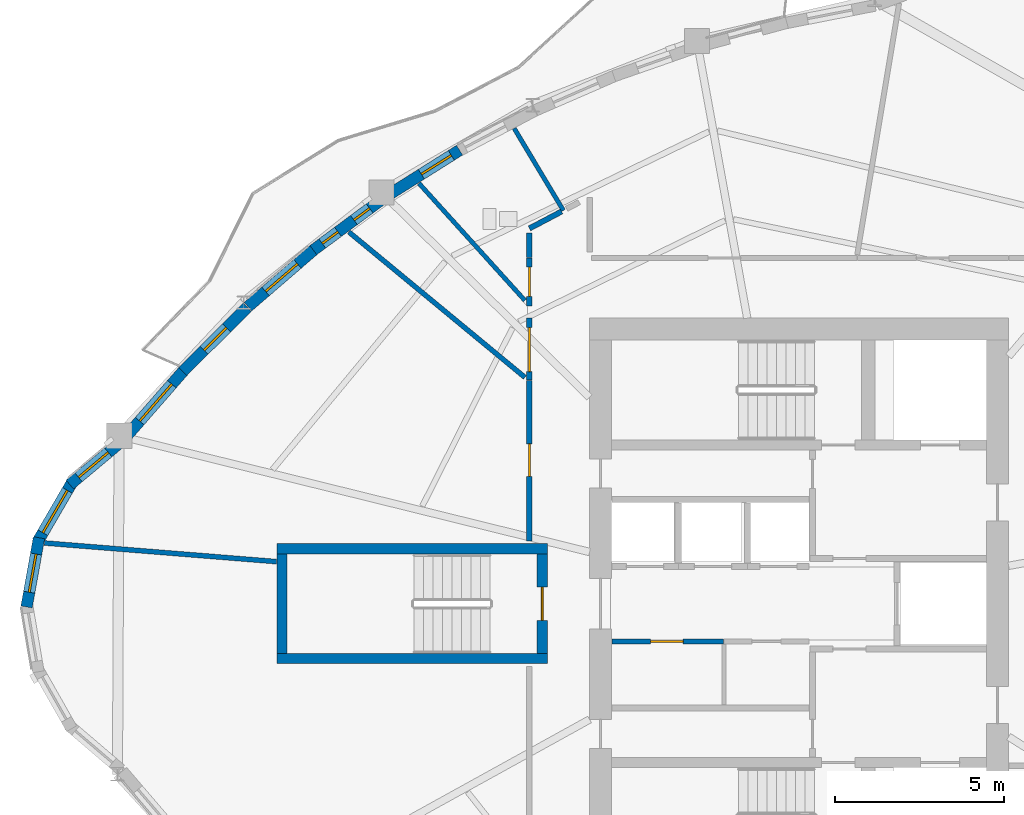
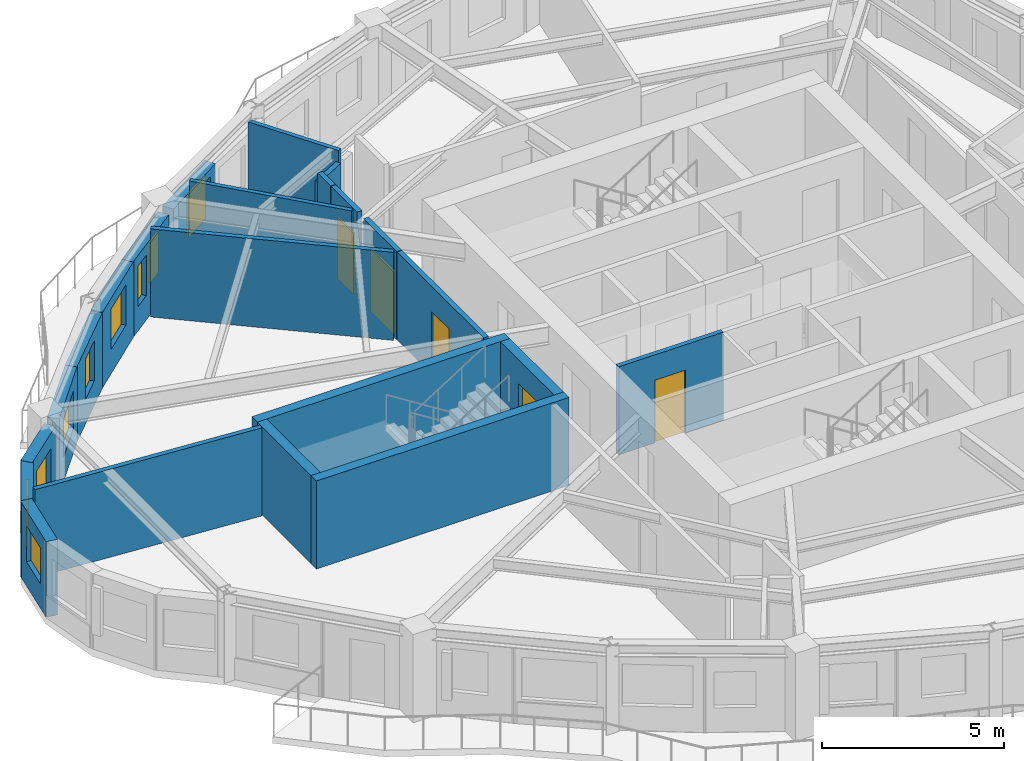
# One storey, part 4 of 11: 22 walls, 9 windows, 5 doors, 14 openings.
"""IFC4 building model written with IfcOpenShell, lengths in metres."""

from ifc_helpers import new_model, si_unit, direction, frame, frame_2d, origin, place, context, subcontext, project, spatial, rectangle, extrude, source, transform, mapped, material, layer, layer_set, type_object, element, fill, save


model = new_model("IFC4")

# Units and contexts
model_context = context("Model", 3, precision=1e-05, world=origin(), true_north=direction((0.0, 1.0)))
body_context = subcontext(model_context, "Body", "Model", "MODEL_VIEW")
ifc_project = project(units=[si_unit("LENGTHUNIT", "METRE"), si_unit("AREAUNIT", "SQUARE_METRE"), si_unit("VOLUMEUNIT", "CUBIC_METRE"), si_unit("PLANEANGLEUNIT", "RADIAN"), si_unit("MASSUNIT", "GRAM", prefix="KILO")], contexts=[model_context])

# Site, building, storey
site_placement = place(None, origin())
site = spatial("IfcSite", under=ifc_project, at=site_placement, CompositionType="ELEMENT")
building_placement = place(site_placement, origin())
building = spatial("IfcBuilding", under=site, at=building_placement, Name="Qafzar Sky-Pleat Residences", CompositionType="ELEMENT")
storey_placement = place(building_placement, frame((0.0, 0.0, 165.0)))
storey = spatial("IfcBuildingStorey", under=building, at=storey_placement, Name="L49", CompositionType="ELEMENT", Elevation=165.0)

# Wall, opening, door
ifc_material_1 = material(Name="Acoustic gypsum plasterboard partition", Category="gypsum")
ifc_layer_1 = layer(ifc_material_1, 0.159912109375)
ifc_layer_set_1 = layer_set([ifc_layer_1], Name="Acoustic gypsum plasterboard partition")
wall_type_1 = type_object("IfcWallType", Name="PART-COR-160", PredefinedType="PARTITIONING", material=ifc_layer_set_1)
wall_1_placement = place(storey_placement, frame((22.3701171875, 27.85009765625, 0.0), z_axis=(0.0, 0.0, 1.0), x_axis=(0.0, 1.0, 0.0)))
wall_1 = element("IfcWall", 1, at=wall_1_placement, inside=storey, type_object=wall_type_1, Name="L49 Partition Wall PART-L49-PW-004", PredefinedType="PARTITIONING", context=body_context, shape_type="SweptSolid", body=[
    extrude(rectangle(XDim=4.7587890625, YDim=0.159912109375, at=frame_2d((2.37939453125, 0.0))), origin(), (0.0, 0.0, 1.0), 2.949951171875),
])
opening_1_placement = place(wall_1_placement, frame((1.9189453125, 0.0, 0.0)))
opening_1 = element("IfcOpeningElement", 2, at=opening_1_placement, cuts=wall_1, Name="Opening ID-06", PredefinedType="OPENING", context=body_context, shape_type="SweptSolid", body=[
    extrude(rectangle(XDim=0.9599609375, YDim=2.10009765625, at=frame_2d((0.47998046875, 1.050048828125))), frame((0.0, 0.08984375, 0.0), z_axis=(0.0, -1.0, 0.0), x_axis=(1.0, 0.0, 0.0)), (0.0, 0.0, 1.0), 0.179931640625),
])
ifc_material_2 = material(Name="Timber-faced fire door", Category="wood")
door_type_1 = type_object("IfcDoorType", Name="DR-STD-960", OperationType="NOTDEFINED", PredefinedType="DOOR", material=ifc_material_2)
shared_shape_1 = source(origin(), body_context, "Body", "SweptSolid", [
    extrude(rectangle(XDim=0.9599609375, YDim=2.10009765625, at=frame_2d((0.47998046875, 1.050048828125))), frame((0.0, 0.02490234375, 0.0), z_axis=(0.0, -1.0, 0.0), x_axis=(1.0, 0.0, 0.0)), (0.0, 0.0, 1.0), 0.050048828125),
])
door_1_placement = place(opening_1_placement, origin())
door_1 = element("IfcDoor", 3, at=door_1_placement, inside=storey, type_object=door_type_1, Name="L49 Graduate Desk Workspace Door", OperationType="SINGLE_SWING_LEFT", OverallHeight=2.10009765625, OverallWidth=0.9599609375, PredefinedType="DOOR", context=body_context, shape_type="MappedRepresentation", body=[
    mapped(shared_shape_1, transform((0.0, 0.0, 0.0), x_axis=(1.0, 0.0, 0.0), y_axis=(0.0, 1.0, 0.0), z_axis=(0.0, 0.0, 1.0), scale=1.0)),
])
fill(opening_1, door_1)

wall_2_placement = place(storey_placement, frame((22.3701171875, 32.6240234375, 0.0), z_axis=(0.0, 0.0, 1.0), x_axis=(0.0, 1.0, 0.0)))
wall_2 = element("IfcWall", 4, at=wall_2_placement, inside=storey, type_object=wall_type_1, Name="L49 Partition Wall PART-L49-PW-009", PredefinedType="PARTITIONING", context=body_context, shape_type="SweptSolid", body=[
    extrude(rectangle(XDim=1.825927734375, YDim=0.159912109375, at=frame_2d((0.9130859375, 0.0))), origin(), (0.0, 0.0, 1.0), 2.949951171875),
])
opening_2_placement = place(wall_2_placement, frame((0.24560546875, 0.0, 0.0)))
opening_2 = element("IfcOpeningElement", 5, at=opening_2_placement, cuts=wall_2, Name="Opening ID-05", PredefinedType="OPENING", context=body_context, shape_type="SweptSolid", body=[
    extrude(rectangle(XDim=1.300048828125, YDim=2.10009765625, at=frame_2d((0.64990234375, 1.050048828125))), frame((0.0, 0.08984375, 0.0), z_axis=(0.0, -1.0, 0.0), x_axis=(1.0, 0.0, 0.0)), (0.0, 0.0, 1.0), 0.179931640625),
])
door_type_2 = type_object("IfcDoorType", Name="DR-LNG-1300", OperationType="DOUBLE_DOOR_SINGLE_SWING", PredefinedType="DOOR", material=ifc_material_2)
shared_shape_2 = source(origin(), body_context, "Body", "SweptSolid", [
    extrude(rectangle(XDim=1.300048828125, YDim=2.10009765625, at=frame_2d((0.64990234375, 1.050048828125))), frame((0.0, 0.02490234375, 0.0), z_axis=(0.0, -1.0, 0.0), x_axis=(1.0, 0.0, 0.0)), (0.0, 0.0, 1.0), 0.050048828125),
])
door_2_placement = place(opening_2_placement, origin())
door_2 = element("IfcDoor", 6, at=door_2_placement, inside=storey, type_object=door_type_2, Name="L49 Scholar Study Room Door", OperationType="DOUBLE_DOOR_SINGLE_SWING", OverallHeight=2.10009765625, OverallWidth=1.300048828125, PredefinedType="DOOR", context=body_context, shape_type="MappedRepresentation", body=[
    mapped(shared_shape_2, transform((0.0, 0.0, 0.0), x_axis=(1.0, 0.0, 0.0), y_axis=(0.0, 1.0, 0.0), z_axis=(0.0, 0.0, 1.0), scale=1.0)),
])
fill(opening_2, door_2)

wall_3_placement = place(storey_placement, frame((22.3701171875, 34.802978515625, 0.0), z_axis=(0.0, 0.0, 1.0), x_axis=(0.0, 1.0, 0.0)))
wall_3 = element("IfcWall", 7, at=wall_3_placement, inside=storey, type_object=wall_type_1, Name="L49 Partition Wall PART-L49-PW-010", PredefinedType="PARTITIONING", context=body_context, shape_type="SweptSolid", body=[
    extrude(rectangle(XDim=1.427001953125, YDim=0.159912109375, at=frame_2d((0.71337890625, 0.0))), origin(), (0.0, 0.0, 1.0), 2.949951171875),
])
opening_3_placement = place(wall_3_placement, frame((0.294921875, 0.0, 0.0)))
opening_3 = element("IfcOpeningElement", 8, at=opening_3_placement, cuts=wall_3, Name="Opening ID-09", PredefinedType="OPENING", context=body_context, shape_type="SweptSolid", body=[
    extrude(rectangle(XDim=0.860107421875, YDim=2.050048828125, at=frame_2d((0.43017578125, 1.02490234375))), frame((0.0, 0.08984375, 0.0), z_axis=(0.0, -1.0, 0.0), x_axis=(1.0, 0.0, 0.0)), (0.0, 0.0, 1.0), 0.179931640625),
])
door_type_3 = type_object("IfcDoorType", Name="DR-SVC-860", OperationType="NOTDEFINED", PredefinedType="DOOR", material=ifc_material_2)
shared_shape_3 = source(origin(), body_context, "Body", "SweptSolid", [
    extrude(rectangle(XDim=0.860107421875, YDim=2.050048828125, at=frame_2d((0.43017578125, 1.02490234375))), frame((0.0, 0.02490234375, 0.0), z_axis=(0.0, -1.0, 0.0), x_axis=(1.0, 0.0, 0.0)), (0.0, 0.0, 1.0), 0.050048828125),
])
door_3_placement = place(opening_3_placement, origin())
door_3 = element("IfcDoor", 9, at=door_3_placement, inside=storey, type_object=door_type_3, Name="L49 Accessible Shared Washroom Door", OperationType="SINGLE_SWING_LEFT", OverallHeight=2.050048828125, OverallWidth=0.860107421875, PredefinedType="DOOR", context=body_context, shape_type="MappedRepresentation", body=[
    mapped(shared_shape_3, transform((0.0, 0.0, 0.0), x_axis=(1.0, 0.0, 0.0), y_axis=(0.0, 1.0, 0.0), z_axis=(0.0, 0.0, 1.0), scale=1.0)),
])
fill(opening_3, door_3)

# Walls
wall_4_placement = place(storey_placement, frame((22.3701171875, 37.10498046875, 0.0), z_axis=(0.0, 0.0, 1.0), x_axis=(0.884455008011, 0.466625480234, 0.0)))
element("IfcWall", 10, at=wall_4_placement, inside=storey, type_object=wall_type_1, Name="L49 Partition Wall PART-L49-PW-025", PredefinedType="PARTITIONING", context=body_context, shape_type="SweptSolid", body=[
    extrude(rectangle(XDim=1.07568359375, YDim=0.159912109375, at=frame_2d((0.537841796875, 0.0))), origin(), (0.0, 0.0, 1.0), 2.55810546875),
])
wall_5_placement = place(storey_placement, frame((22.3701171875, 36.2451171875, 0.0), z_axis=(0.0, 0.0, 1.0), x_axis=(0.0, 1.0, 0.0)))
element("IfcWall", 11, at=wall_5_placement, inside=storey, type_object=wall_type_1, Name="L49 Partition Wall PART-L49-PW-027", PredefinedType="PARTITIONING", context=body_context, shape_type="SweptSolid", body=[
    extrude(rectangle(XDim=0.71923828125, YDim=0.159912109375, at=frame_2d((0.359619140625, 0.0))), origin(), (0.0, 0.0, 1.0), 2.949951171875),
])

# Wall, opening, door
ifc_layer_2 = layer(ifc_material_1, 0.14501953125)
ifc_layer_set_2 = layer_set([ifc_layer_2], Name="Acoustic gypsum plasterboard partition")
wall_type_2 = type_object("IfcWallType", Name="PART-UNIT-145", PredefinedType="PARTITIONING", material=ifc_layer_set_2)
wall_6_placement = place(storey_placement, frame((24.81005859375, 24.8798828125, 0.0), z_axis=(0.0, 0.0, 1.0), x_axis=(1.0, 0.0, 0.0)))
wall_6 = element("IfcWall", 12, at=wall_6_placement, inside=storey, type_object=wall_type_2, Name="L49 Partition Wall PART-L49-RECLAIM-N1", PredefinedType="PARTITIONING", context=body_context, shape_type="SweptSolid", body=[
    extrude(rectangle(XDim=3.31005859375, YDim=0.14501953125, at=frame_2d((1.655029296875, 0.0))), origin(), (0.0, 0.0, 1.0), 2.949951171875),
])
opening_4_placement = place(wall_6_placement, frame((1.14990234375, 0.0, 0.0)))
opening_4 = element("IfcOpeningElement", 13, at=opening_4_placement, cuts=wall_6, Name="Opening ID-06", PredefinedType="OPENING", context=body_context, shape_type="SweptSolid", body=[
    extrude(rectangle(XDim=0.9599609375, YDim=2.10009765625, at=frame_2d((0.47998046875, 1.050048828125))), frame((0.0, 0.08251953125, 0.0), z_axis=(0.0, -1.0, 0.0), x_axis=(1.0, 0.0, 0.0)), (0.0, 0.0, 1.0), 0.1650390625),
])
door_4_placement = place(opening_4_placement, origin())
door_4 = element("IfcDoor", 14, at=door_4_placement, inside=storey, type_object=door_type_1, Name="L49 Reclaimed Quiet Study Room Door", OperationType="SINGLE_SWING_RIGHT", OverallHeight=2.10009765625, OverallWidth=0.9599609375, PredefinedType="DOOR", context=body_context, shape_type="MappedRepresentation", body=[
    mapped(shared_shape_1, transform((0.0, 0.0, 0.0), x_axis=(1.0, 0.0, 0.0), y_axis=(0.0, 1.0, 0.0), z_axis=(0.0, 0.0, 1.0), scale=1.0)),
])
fill(opening_4, door_4)

# Walls
wall_7_placement = place(storey_placement, frame((17.028076171875, 36.999755859375, 0.0), z_axis=(0.0, 0.0, 1.0), x_axis=(0.771119105053, -0.636690918596, 0.0)))
element("IfcWall", 15, at=wall_7_placement, inside=storey, type_object=wall_type_2, Name="L49 Partition Wall PART-L49-PW-013", PredefinedType="PARTITIONING", context=body_context, shape_type="SweptSolid", body=[
    extrude(rectangle(XDim=6.756103515625, YDim=0.14501953125, at=frame_2d((3.3779296875, 0.0))), origin(), (0.0, 0.0, 1.0), 2.949951171875),
])
wall_8_placement = place(storey_placement, frame((8.015380859375, 27.79736328125, 0.0), z_axis=(0.0, 0.0, 1.0), x_axis=(0.996785477909, -0.080116858581, 0.0)))
element("IfcWall", 16, at=wall_8_placement, inside=storey, type_object=wall_type_2, Name="L49 Partition Wall PART-L49-PW-014", PredefinedType="PARTITIONING", context=body_context, shape_type="SweptSolid", body=[
    extrude(rectangle(XDim=6.89306640625, YDim=0.14501953125, at=frame_2d((3.446533203125, 0.0))), origin(), (0.0, 0.0, 1.0), 2.949951171875),
])
ifc_material_3 = material(Name="Moisture-resistant gypsum partition", Category="gypsum")
ifc_layer_3 = layer(ifc_material_3, 0.1298828125)
ifc_layer_set_3 = layer_set([ifc_layer_3], Name="Moisture-resistant gypsum partition")
wall_type_3 = type_object("IfcWallType", Name="PART-WET-130", PredefinedType="PARTITIONING", material=ifc_layer_set_3)
wall_9_placement = place(storey_placement, frame((19.100830078125, 38.441162109375, 0.0), z_axis=(0.0, 0.0, 1.0), x_axis=(0.670702711046, -0.741726279295, 0.0)))
element("IfcWall", 17, at=wall_9_placement, inside=storey, type_object=wall_type_3, Name="L49 Partition Wall PART-L49-PW-017", PredefinedType="PARTITIONING", context=body_context, shape_type="SweptSolid", body=[
    extrude(rectangle(XDim=4.675048828125, YDim=0.1298828125, at=frame_2d((2.33740234375, 0.0))), origin(), (0.0, 0.0, 1.0), 2.949951171875),
])
wall_10_placement = place(storey_placement, frame((21.920166015625, 40.065185546875, 0.0), z_axis=(0.0, 0.0, 1.0), x_axis=(0.514051974364, -0.857759038223, 0.0)))
element("IfcWall", 18, at=wall_10_placement, inside=storey, type_object=wall_type_3, Name="L49 Partition Wall PART-L49-PW-019", PredefinedType="PARTITIONING", context=body_context, shape_type="SweptSolid", body=[
    extrude(rectangle(XDim=2.83203125, YDim=0.1298828125, at=frame_2d((1.416015625, 0.0))), origin(), (0.0, 0.0, 1.0), 2.949951171875),
])

# Wall, opening, window
ifc_material_4 = material(Name="Precast concrete C40/50 with honed Riyadh limestone", Category="concrete")
ifc_layer_4 = layer(ifc_material_4, 0.340087890625)
ifc_layer_set_4 = layer_set([ifc_layer_4], Name="Precast concrete C40/50 with honed Riyadh limestone")
wall_type_4 = type_object("IfcWallType", Name="WALL-EXT-340", PredefinedType="SOLIDWALL", material=ifc_layer_set_4)
wall_11_placement = place(storey_placement, frame((10.218994140625, 30.7373046875, 0.0), z_axis=(0.0, 0.0, 1.0), x_axis=(-0.76661852922, -0.642102819381, 0.0)))
wall_11 = element("IfcWall", 19, at=wall_11_placement, inside=storey, type_object=wall_type_4, Name="L49 Limestone Facade Wall 1", PredefinedType="SOLIDWALL", context=body_context, shape_type="SweptSolid", body=[
    extrude(rectangle(XDim=1.88818359375, YDim=0.340087890625, at=frame_2d((0.944091796875, 0.0))), origin(), (0.0, 0.0, 1.0), 2.530029296875),
])
opening_5_placement = place(wall_11_placement, frame((0.404052734375, 0.0, 0.820068359375)))
opening_5 = element("IfcOpeningElement", 20, at=opening_5_placement, cuts=wall_11, Name="Opening WN-16", PredefinedType="OPENING", context=body_context, shape_type="SweptSolid", body=[
    extrude(rectangle(XDim=1.14990234375, YDim=1.199951171875, at=frame_2d((0.574951171875, 0.60009765625))), frame((0.0, 0.18017578125, 0.0), z_axis=(0.0, -1.0, 0.0), x_axis=(1.0, 0.0, 0.0)), (0.0, 0.0, 1.0), 0.360107421875),
])
ifc_material_5 = material(Name="Solar-control low-E glass in bronze aluminium frame", Category="glass")
window_type_1 = type_object("IfcWindowType", Name="WIN-16", PartitioningType="SINGLE_PANEL", PredefinedType="WINDOW", material=ifc_material_5)
shared_shape_4 = source(origin(), body_context, "Body", "SweptSolid", [
    extrude(rectangle(XDim=1.14990234375, YDim=1.199951171875, at=frame_2d((0.574951171875, 0.60009765625))), frame((0.0, 0.030029296875, 0.0), z_axis=(0.0, -1.0, 0.0), x_axis=(1.0, 0.0, 0.0)), (0.0, 0.0, 1.0), 0.06005859375),
])
window_1_placement = place(opening_5_placement, origin())
window_1 = element("IfcWindow", 21, at=window_1_placement, inside=storey, type_object=window_type_1, Name="L49 Punched Facade Window 01", OverallHeight=1.199951171875, OverallWidth=1.14990234375, PartitioningType="SINGLE_PANEL", PredefinedType="WINDOW", context=body_context, shape_type="MappedRepresentation", body=[
    mapped(shared_shape_4, transform((0.0, 0.0, 0.0), x_axis=(1.0, 0.0, 0.0), y_axis=(0.0, 1.0, 0.0), z_axis=(0.0, 0.0, 1.0), scale=1.0)),
])
fill(opening_5, window_1)

wall_12_placement = place(storey_placement, frame((8.857666015625, 29.627197265625, 0.0), z_axis=(0.0, 0.0, 1.0), x_axis=(-0.502177965272, -0.864764298058, 0.0)))
wall_12 = element("IfcWall", 22, at=wall_12_placement, inside=storey, type_object=wall_type_4, Name="L49 Limestone Facade Wall 2", PredefinedType="SOLIDWALL", context=body_context, shape_type="SweptSolid", body=[
    extrude(rectangle(XDim=2.081298828125, YDim=0.340087890625, at=frame_2d((1.04052734375, 0.0))), origin(), (0.0, 0.0, 1.0), 2.530029296875),
])
opening_6_placement = place(wall_12_placement, frame((0.3154296875, 0.0, 0.820068359375)))
opening_6 = element("IfcOpeningElement", 23, at=opening_6_placement, cuts=wall_12, Name="Opening WN-15", PredefinedType="OPENING", context=body_context, shape_type="SweptSolid", body=[
    extrude(rectangle(XDim=1.449951171875, YDim=1.25, at=frame_2d((0.72509765625, 0.625))), frame((0.0, 0.18017578125, 0.0), z_axis=(0.0, -1.0, 0.0), x_axis=(1.0, 0.0, 0.0)), (0.0, 0.0, 1.0), 0.360107421875),
])
window_type_2 = type_object("IfcWindowType", Name="WIN-15", PartitioningType="SINGLE_PANEL", PredefinedType="WINDOW", material=ifc_material_5)
shared_shape_5 = source(origin(), body_context, "Body", "SweptSolid", [
    extrude(rectangle(XDim=1.449951171875, YDim=1.25, at=frame_2d((0.72509765625, 0.625))), frame((0.0, 0.030029296875, 0.0), z_axis=(0.0, -1.0, 0.0), x_axis=(1.0, 0.0, 0.0)), (0.0, 0.0, 1.0), 0.06005859375),
])
window_2_placement = place(opening_6_placement, origin())
window_2 = element("IfcWindow", 24, at=window_2_placement, inside=storey, type_object=window_type_2, Name="L49 Punched Facade Window 02", OverallHeight=1.25, OverallWidth=1.449951171875, PartitioningType="SINGLE_PANEL", PredefinedType="WINDOW", context=body_context, shape_type="MappedRepresentation", body=[
    mapped(shared_shape_5, transform((0.0, 0.0, 0.0), x_axis=(1.0, 0.0, 0.0), y_axis=(0.0, 1.0, 0.0), z_axis=(0.0, 0.0, 1.0), scale=1.0)),
])
fill(opening_6, window_2)

wall_13_placement = place(storey_placement, frame((7.858642578125, 27.952880859375, 0.0), z_axis=(0.0, 0.0, 1.0), x_axis=(-0.177605215389, -0.984101817632, 0.0)))
wall_13 = element("IfcWall", 25, at=wall_13_placement, inside=storey, type_object=wall_type_4, Name="L49 Limestone Facade Wall 3", PredefinedType="SOLIDWALL", context=body_context, shape_type="SweptSolid", body=[
    extrude(rectangle(XDim=2.081298828125, YDim=0.340087890625, at=frame_2d((1.04052734375, 0.0))), origin(), (0.0, 0.0, 1.0), 2.530029296875),
])
opening_7_placement = place(wall_13_placement, frame((0.4892578125, 0.0, 0.820068359375)))
opening_7 = element("IfcOpeningElement", 26, at=opening_7_placement, cuts=wall_13, Name="Opening WN-16", PredefinedType="OPENING", context=body_context, shape_type="SweptSolid", body=[
    extrude(rectangle(XDim=1.14990234375, YDim=1.199951171875, at=frame_2d((0.574951171875, 0.60009765625))), frame((0.0, 0.18017578125, 0.0), z_axis=(0.0, -1.0, 0.0), x_axis=(1.0, 0.0, 0.0)), (0.0, 0.0, 1.0), 0.360107421875),
])
window_3_placement = place(opening_7_placement, origin())
window_3 = element("IfcWindow", 27, at=window_3_placement, inside=storey, type_object=window_type_1, Name="L49 Punched Facade Window 03", OverallHeight=1.199951171875, OverallWidth=1.14990234375, PartitioningType="SINGLE_PANEL", PredefinedType="WINDOW", context=body_context, shape_type="MappedRepresentation", body=[
    mapped(shared_shape_4, transform((0.0, 0.0, 0.0), x_axis=(1.0, 0.0, 0.0), y_axis=(0.0, 1.0, 0.0), z_axis=(0.0, 0.0, 1.0), scale=1.0)),
])
fill(opening_7, window_3)

wall_14_placement = place(storey_placement, frame((20.302734375, 39.4208984375, 0.0), z_axis=(0.0, 0.0, 1.0), x_axis=(-0.846381586821, -0.532576951707, 0.0)))
wall_14 = element("IfcWall", 28, at=wall_14_placement, inside=storey, type_object=wall_type_4, Name="L49 Limestone Facade Wall 44", PredefinedType="SOLIDWALL", context=body_context, shape_type="SweptSolid", body=[
    extrude(rectangle(XDim=2.46630859375, YDim=0.340087890625, at=frame_2d((1.233154296875, 0.0))), origin(), (0.0, 0.0, 1.0), 2.530029296875),
])
opening_8_placement = place(wall_14_placement, frame((0.287109375, 0.0, 0.820068359375)))
opening_8 = element("IfcOpeningElement", 29, at=opening_8_placement, cuts=wall_14, Name="Opening WN-06", PredefinedType="OPENING", context=body_context, shape_type="SweptSolid", body=[
    extrude(rectangle(XDim=1.050048828125, YDim=1.449951171875, at=frame_2d((0.52490234375, 0.72509765625))), frame((0.0, 0.18017578125, 0.0), z_axis=(0.0, -1.0, 0.0), x_axis=(1.0, 0.0, 0.0)), (0.0, 0.0, 1.0), 0.360107421875),
])
window_type_3 = type_object("IfcWindowType", Name="WIN-06", PartitioningType="SINGLE_PANEL", PredefinedType="WINDOW", material=ifc_material_5)
shared_shape_6 = source(origin(), body_context, "Body", "SweptSolid", [
    extrude(rectangle(XDim=1.050048828125, YDim=1.449951171875, at=frame_2d((0.52490234375, 0.72509765625))), frame((0.0, 0.030029296875, 0.0), z_axis=(0.0, -1.0, 0.0), x_axis=(1.0, 0.0, 0.0)), (0.0, 0.0, 1.0), 0.06005859375),
])
window_4_placement = place(opening_8_placement, origin())
window_4 = element("IfcWindow", 30, at=window_4_placement, inside=storey, type_object=window_type_3, Name="L49 Punched Facade Window 44", OverallHeight=1.449951171875, OverallWidth=1.050048828125, PartitioningType="SINGLE_PANEL", PredefinedType="WINDOW", context=body_context, shape_type="MappedRepresentation", body=[
    mapped(shared_shape_6, transform((0.0, 0.0, 0.0), x_axis=(1.0, 0.0, 0.0), y_axis=(0.0, 1.0, 0.0), z_axis=(0.0, 0.0, 1.0), scale=1.0)),
])
fill(opening_8, window_4)

# Wall, openings, windows
wall_15_placement = place(storey_placement, frame((17.97021484375, 37.93994140625, 0.0), z_axis=(0.0, 0.0, 1.0), x_axis=(-0.803844722302, -0.594839190393, 0.0)))
wall_15 = element("IfcWall", 31, at=wall_15_placement, inside=storey, type_object=wall_type_4, Name="L49 Limestone Facade Wall 45", PredefinedType="SOLIDWALL", context=body_context, shape_type="SweptSolid", body=[
    extrude(rectangle(XDim=2.48095703125, YDim=0.340087890625, at=frame_2d((1.240478515625, 0.0))), origin(), (0.0, 0.0, 1.0), 2.530029296875),
])
opening_9_placement = place(wall_15_placement, frame((0.4072265625, 0.0, 0.820068359375)))
opening_9 = element("IfcOpeningElement", 32, at=opening_9_placement, cuts=wall_15, Name="Opening WN-17", PredefinedType="OPENING", context=body_context, shape_type="SweptSolid", body=[
    extrude(rectangle(XDim=0.580078125, YDim=1.35009765625, at=frame_2d((0.2900390625, 0.675048828125))), frame((0.0, 0.18017578125, 0.0), z_axis=(0.0, -1.0, 0.0), x_axis=(1.0, 0.0, 0.0)), (0.0, 0.0, 1.0), 0.360107421875),
])
opening_10_placement = place(wall_15_placement, frame((1.572998046875, 0.0, 0.820068359375)))
opening_10 = element("IfcOpeningElement", 33, at=opening_10_placement, cuts=wall_15, Name="Opening WN-17", PredefinedType="OPENING", context=body_context, shape_type="SweptSolid", body=[
    extrude(rectangle(XDim=0.580078125, YDim=1.35009765625, at=frame_2d((0.2900390625, 0.675048828125))), frame((0.0, 0.18017578125, 0.0), z_axis=(0.0, -1.0, 0.0), x_axis=(1.0, 0.0, 0.0)), (0.0, 0.0, 1.0), 0.360107421875),
])
window_type_4 = type_object("IfcWindowType", Name="WIN-17", PartitioningType="SINGLE_PANEL", PredefinedType="WINDOW", material=ifc_material_5)
shared_shape_7 = source(origin(), body_context, "Body", "SweptSolid", [
    extrude(rectangle(XDim=0.580078125, YDim=1.35009765625, at=frame_2d((0.2900390625, 0.675048828125))), frame((0.0, 0.030029296875, 0.0), z_axis=(0.0, -1.0, 0.0), x_axis=(1.0, 0.0, 0.0)), (0.0, 0.0, 1.0), 0.06005859375),
])
window_5_placement = place(opening_9_placement, origin())
window_5 = element("IfcWindow", 34, at=window_5_placement, inside=storey, type_object=window_type_4, Name="L49 Punched Facade Window 45", OverallHeight=1.35009765625, OverallWidth=0.580078125, PartitioningType="SINGLE_PANEL", PredefinedType="WINDOW", context=body_context, shape_type="MappedRepresentation", body=[
    mapped(shared_shape_7, transform((0.0, 0.0, 0.0), x_axis=(1.0, 0.0, 0.0), y_axis=(0.0, 1.0, 0.0), z_axis=(0.0, 0.0, 1.0), scale=1.0)),
])
fill(opening_9, window_5)
window_6_placement = place(opening_10_placement, origin())
window_6 = element("IfcWindow", 35, at=window_6_placement, inside=storey, type_object=window_type_4, Name="L49 Punched Facade Window 45-2", OverallHeight=1.35009765625, OverallWidth=0.580078125, PartitioningType="SINGLE_PANEL", PredefinedType="WINDOW", context=body_context, shape_type="MappedRepresentation", body=[
    mapped(shared_shape_7, transform((0.0, 0.0, 0.0), x_axis=(1.0, 0.0, 0.0), y_axis=(0.0, 1.0, 0.0), z_axis=(0.0, 0.0, 1.0), scale=1.0)),
])
fill(opening_10, window_6)

# Wall, opening, window
wall_16_placement = place(storey_placement, frame((16.044921875, 36.519287109375, 0.0), z_axis=(0.0, 0.0, 1.0), x_axis=(-0.757449302754, -0.652893983551, 0.0)))
wall_16 = element("IfcWall", 36, at=wall_16_placement, inside=storey, type_object=wall_type_4, Name="L49 Limestone Facade Wall 46", PredefinedType="SOLIDWALL", context=body_context, shape_type="SweptSolid", body=[
    extrude(rectangle(XDim=2.6455078125, YDim=0.340087890625, at=frame_2d((1.32275390625, 0.0))), origin(), (0.0, 0.0, 1.0), 2.530029296875),
])
opening_11_placement = place(wall_16_placement, frame((0.707763671875, 0.0, 0.820068359375)))
opening_11 = element("IfcOpeningElement", 37, at=opening_11_placement, cuts=wall_16, Name="Opening WN-11", PredefinedType="OPENING", context=body_context, shape_type="SweptSolid", body=[
    extrude(rectangle(XDim=1.25, YDim=1.35009765625, at=frame_2d((0.625, 0.675048828125))), frame((0.0, 0.18017578125, 0.0), z_axis=(0.0, -1.0, 0.0), x_axis=(1.0, 0.0, 0.0)), (0.0, 0.0, 1.0), 0.360107421875),
])
window_type_5 = type_object("IfcWindowType", Name="WIN-11", PartitioningType="SINGLE_PANEL", PredefinedType="WINDOW", material=ifc_material_5)
shared_shape_8 = source(origin(), body_context, "Body", "SweptSolid", [
    extrude(rectangle(XDim=1.25, YDim=1.35009765625, at=frame_2d((0.625, 0.675048828125))), frame((0.0, 0.030029296875, 0.0), z_axis=(0.0, -1.0, 0.0), x_axis=(1.0, 0.0, 0.0)), (0.0, 0.0, 1.0), 0.06005859375),
])
window_7_placement = place(opening_11_placement, origin())
window_7 = element("IfcWindow", 38, at=window_7_placement, inside=storey, type_object=window_type_5, Name="L49 Punched Facade Window 46", OverallHeight=1.35009765625, OverallWidth=1.25, PartitioningType="SINGLE_PANEL", PredefinedType="WINDOW", context=body_context, shape_type="MappedRepresentation", body=[
    mapped(shared_shape_8, transform((0.0, 0.0, 0.0), x_axis=(1.0, 0.0, 0.0), y_axis=(0.0, 1.0, 0.0), z_axis=(0.0, 0.0, 1.0), scale=1.0)),
])
fill(opening_11, window_7)

wall_17_placement = place(storey_placement, frame((14.020751953125, 34.773193359375, 0.0), z_axis=(0.0, 0.0, 1.0), x_axis=(-0.708421987765, -0.705789123784, 0.0)))
wall_17 = element("IfcWall", 39, at=wall_17_placement, inside=storey, type_object=wall_type_4, Name="L49 Limestone Facade Wall 47", PredefinedType="SOLIDWALL", context=body_context, shape_type="SweptSolid", body=[
    extrude(rectangle(XDim=2.689208984375, YDim=0.340087890625, at=frame_2d((1.3447265625, 0.0))), origin(), (0.0, 0.0, 1.0), 2.530029296875),
])
opening_12_placement = place(wall_17_placement, frame((0.859619140625, 0.0, 0.820068359375)))
opening_12 = element("IfcOpeningElement", 40, at=opening_12_placement, cuts=wall_17, Name="Opening WN-12", PredefinedType="OPENING", context=body_context, shape_type="SweptSolid", body=[
    extrude(rectangle(XDim=0.949951171875, YDim=1.35009765625, at=frame_2d((0.47509765625, 0.675048828125))), frame((0.0, 0.18017578125, 0.0), z_axis=(0.0, -1.0, 0.0), x_axis=(1.0, 0.0, 0.0)), (0.0, 0.0, 1.0), 0.360107421875),
])
window_type_6 = type_object("IfcWindowType", Name="WIN-12", PartitioningType="SINGLE_PANEL", PredefinedType="WINDOW", material=ifc_material_5)
shared_shape_9 = source(origin(), body_context, "Body", "SweptSolid", [
    extrude(rectangle(XDim=0.949951171875, YDim=1.35009765625, at=frame_2d((0.47509765625, 0.675048828125))), frame((0.0, 0.030029296875, 0.0), z_axis=(0.0, -1.0, 0.0), x_axis=(1.0, 0.0, 0.0)), (0.0, 0.0, 1.0), 0.06005859375),
])
window_8_placement = place(opening_12_placement, origin())
window_8 = element("IfcWindow", 41, at=window_8_placement, inside=storey, type_object=window_type_6, Name="L49 Punched Facade Window 47", OverallHeight=1.35009765625, OverallWidth=0.949951171875, PartitioningType="SINGLE_PANEL", PredefinedType="WINDOW", context=body_context, shape_type="MappedRepresentation", body=[
    mapped(shared_shape_9, transform((0.0, 0.0, 0.0), x_axis=(1.0, 0.0, 0.0), y_axis=(0.0, 1.0, 0.0), z_axis=(0.0, 0.0, 1.0), scale=1.0)),
])
fill(opening_12, window_8)

wall_18_placement = place(storey_placement, frame((12.17578125, 32.939208984375, 0.0), z_axis=(0.0, 0.0, 1.0), x_axis=(-0.65766354423, -0.753311796397, 0.0)))
wall_18 = element("IfcWall", 42, at=wall_18_placement, inside=storey, type_object=wall_type_4, Name="L49 Limestone Facade Wall 48", PredefinedType="SOLIDWALL", context=body_context, shape_type="SweptSolid", body=[
    extrude(rectangle(XDim=2.611083984375, YDim=0.340087890625, at=frame_2d((1.3056640625, 0.0))), origin(), (0.0, 0.0, 1.0), 2.530029296875),
])
opening_13_placement = place(wall_18_placement, frame((0.585693359375, 0.0, 0.820068359375)))
opening_13 = element("IfcOpeningElement", 43, at=opening_13_placement, cuts=wall_18, Name="Opening WN-15", PredefinedType="OPENING", context=body_context, shape_type="SweptSolid", body=[
    extrude(rectangle(XDim=1.449951171875, YDim=1.25, at=frame_2d((0.72509765625, 0.625))), frame((0.0, 0.18017578125, 0.0), z_axis=(0.0, -1.0, 0.0), x_axis=(1.0, 0.0, 0.0)), (0.0, 0.0, 1.0), 0.360107421875),
])
window_9_placement = place(opening_13_placement, origin())
window_9 = element("IfcWindow", 44, at=window_9_placement, inside=storey, type_object=window_type_2, Name="L49 Punched Facade Window 48", OverallHeight=1.25, OverallWidth=1.449951171875, PartitioningType="SINGLE_PANEL", PredefinedType="WINDOW", context=body_context, shape_type="MappedRepresentation", body=[
    mapped(shared_shape_5, transform((0.0, 0.0, 0.0), x_axis=(1.0, 0.0, 0.0), y_axis=(0.0, 1.0, 0.0), z_axis=(0.0, 0.0, 1.0), scale=1.0)),
])
fill(opening_13, window_9)

# Walls
ifc_material_6 = material(Name="Concrete C60/75", Category="concrete")
ifc_layer_5 = layer(ifc_material_6, 0.300048828125)
ifc_layer_set_5 = layer_set([ifc_layer_5], Name="Concrete C60/75")
wall_type_5 = type_object("IfcWallType", Name="WALL-SHEAR-300", PredefinedType="SHEAR", material=ifc_layer_set_5)
for number, where, z_axis, x_axis, name in (
    (45, (14.89990234375, 24.375, 0.0), (0.0, 0.0, 1.0), (1.0, 0.0, 0.0), "L49 ST3 wall S"),
    (46, (22.89990234375, 27.625, 0.0), (0.0, 0.0, 1.0), (-1.0, 0.0, 0.0), "L49 ST3 wall N"),
):
    element("IfcWall", number, at=place(storey_placement, frame(where, z_axis=z_axis, x_axis=x_axis)), inside=storey, type_object=wall_type_5, Name=name, PredefinedType="SHEAR", context=body_context, shape_type="SweptSolid", body=[
        extrude(rectangle(XDim=8.0, YDim=0.300048828125, at=frame_2d((4.0, 0.0))), origin(), (0.0, 0.0, 1.0), 2.949951171875),
    ])
wall_19_placement = place(storey_placement, frame((15.050048828125, 27.47509765625, 0.0), z_axis=(0.0, 0.0, 1.0), x_axis=(0.0, -1.0, 0.0)))
element("IfcWall", 47, at=wall_19_placement, inside=storey, type_object=wall_type_5, Name="L49 ST3 wall W", PredefinedType="SHEAR", context=body_context, shape_type="SweptSolid", body=[
    extrude(rectangle(XDim=2.9501953125, YDim=0.300048828125, at=frame_2d((1.47509765625, 0.0))), origin(), (0.0, 0.0, 1.0), 2.949951171875),
])

# Wall, opening, door
wall_20_placement = place(storey_placement, frame((22.75, 24.52490234375, 0.0), z_axis=(0.0, 0.0, 1.0), x_axis=(0.0, 1.0, 0.0)))
wall_20 = element("IfcWall", 48, at=wall_20_placement, inside=storey, type_object=wall_type_5, Name="L49 ST3 wall E", PredefinedType="SHEAR", context=body_context, shape_type="SweptSolid", body=[
    extrude(rectangle(XDim=2.9501953125, YDim=0.300048828125, at=frame_2d((1.47509765625, 0.0))), origin(), (0.0, 0.0, 1.0), 2.949951171875),
])
opening_14_placement = place(wall_20_placement, frame((0.985107421875, 0.0, 0.0)))
opening_14 = element("IfcOpeningElement", 49, at=opening_14_placement, cuts=wall_20, Name="Opening ID-01", PredefinedType="OPENING", context=body_context, shape_type="SweptSolid", body=[
    extrude(rectangle(XDim=0.97998046875, YDim=2.14990234375, at=frame_2d((0.489990234375, 1.074951171875))), frame((0.0, 0.16015625, 0.0), z_axis=(0.0, -1.0, 0.0), x_axis=(1.0, 0.0, 0.0)), (0.0, 0.0, 1.0), 0.320068359375),
])
door_type_4 = type_object("IfcDoorType", Name="DR-STAIR-980", OperationType="NOTDEFINED", PredefinedType="DOOR", material=ifc_material_2)
shared_shape_10 = source(origin(), body_context, "Body", "SweptSolid", [
    extrude(rectangle(XDim=0.97998046875, YDim=2.14990234375, at=frame_2d((0.489990234375, 1.074951171875))), frame((0.0, 0.02490234375, 0.0), z_axis=(0.0, -1.0, 0.0), x_axis=(1.0, 0.0, 0.0)), (0.0, 0.0, 1.0), 0.050048828125),
])
door_5_placement = place(opening_14_placement, origin())
door_5 = element("IfcDoor", 50, at=door_5_placement, inside=storey, type_object=door_type_4, Name="L49 Stair ST3 Fire Door", OperationType="SINGLE_SWING_LEFT", OverallHeight=2.14990234375, OverallWidth=0.97998046875, PredefinedType="DOOR", context=body_context, shape_type="MappedRepresentation", body=[
    mapped(shared_shape_10, transform((0.0, 0.0, 0.0), x_axis=(1.0, 0.0, 0.0), y_axis=(0.0, 1.0, 0.0), z_axis=(0.0, 0.0, 1.0), scale=1.0)),
])
fill(opening_14, door_5)

save(model, "model.ifc")
